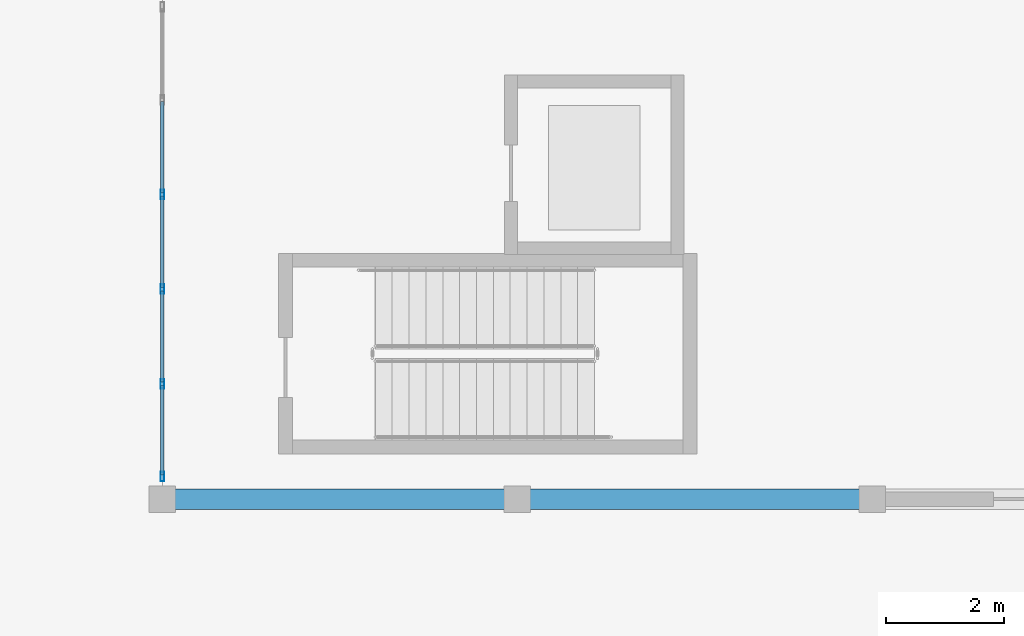
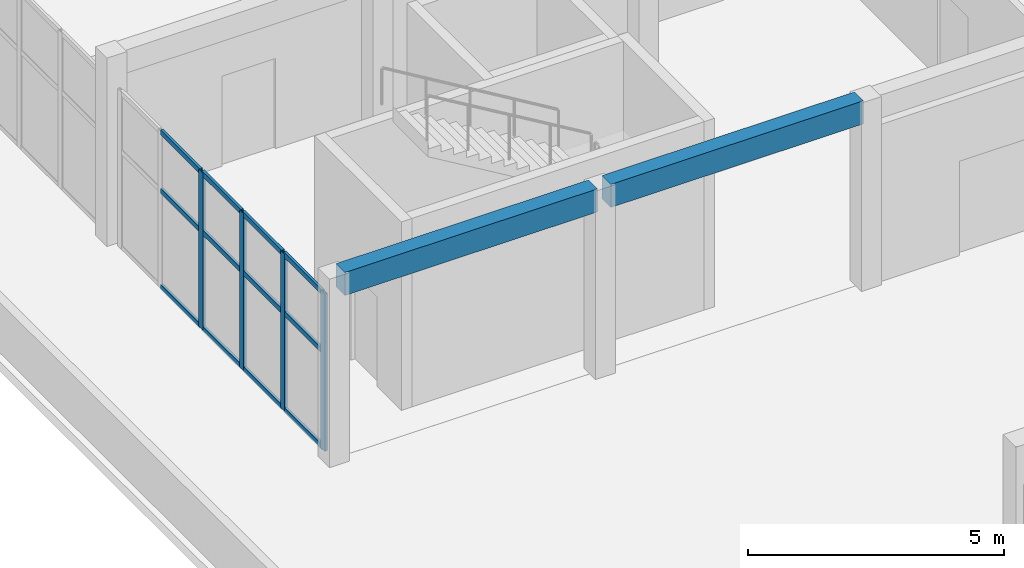
# One storey, part 44 of 132: 16 members, 2 beams, 1 element without a shape of its own.
"""IFC4 building model written with IfcOpenShell, lengths in metres."""

from ifc_helpers import new_model, si_unit, direction, frame, origin, origin_2d, place, context, subcontext, project, spatial, rectangle, hollow_rectangle, extrude, material, material_profile, profile_set, type_object, element, aggregate, save


model = new_model("IFC4")

# Units and contexts
model_context = context("Model", 3, precision=1e-05, world=origin(), true_north=direction((0.0, 1.0)))
body_context = subcontext(model_context, "Body", "Model", "MODEL_VIEW")
ifc_project = project(units=[si_unit("LENGTHUNIT", "METRE"), si_unit("AREAUNIT", "SQUARE_METRE"), si_unit("VOLUMEUNIT", "CUBIC_METRE"), si_unit("PLANEANGLEUNIT", "RADIAN"), si_unit("MASSUNIT", "GRAM", prefix="KILO")], contexts=[model_context])

# Site, building, storey
site_placement = place(None, origin())
site = spatial("IfcSite", under=ifc_project, at=site_placement, CompositionType="ELEMENT")
building_placement = place(site_placement, origin())
building = spatial("IfcBuilding", under=site, at=building_placement, Name="Tanwirah Colonnade Gardens", CompositionType="ELEMENT")
storey_placement = place(building_placement, origin())
storey = spatial("IfcBuildingStorey", under=building, at=storey_placement, Name="L00", CompositionType="ELEMENT", Elevation=0.0)

# Beams
ifc_material_1 = material(Name="Precast concrete C40/50", Category="concrete")
ifc_material_profile_1 = material_profile(ifc_material_1, rectangle(XDim=0.35009765625, YDim=0.550048828125, at=origin_2d()), Name="PC-BM 350x550")
ifc_profile_set_1 = profile_set([ifc_material_profile_1], Name="Precast concrete C40/50")
beam_type = type_object("IfcBeamType", Name="BM-PC350A", PredefinedType="BEAM", material=ifc_profile_set_1)
for number, where, z_axis, x_axis, name in (
    (1, (78.14990234375, 92.0, 4.219970703125), (1.0, 0.0, 0.0), (0.0, 1.0, 0.0), "Nursery L00 Beam X-0.0"),
    (2, (84.14990234375, 92.0, 4.219970703125), (1.0, 0.0, 0.0), (0.0, 1.0, 0.0), "Nursery L00 Beam X-1.0"),
):
    element("IfcBeam", number, at=place(storey_placement, frame(where, z_axis=z_axis, x_axis=x_axis)), inside=storey, type_object=beam_type, Name=name, PredefinedType="BEAM", context=body_context, shape_type="SweptSolid", body=[
        extrude(rectangle(XDim=0.35009765625, YDim=0.550048828125, at=origin_2d()), origin(), (0.0, 0.0, 1.0), 5.7001953125),
    ])

# Curtain wall, members
ifc_material_2 = material(Name="Bronze-anodised aluminium and solar-control low-E glass", Category="aluminium")
curtain_wall_type = type_object("IfcCurtainWallType", Name="CW-NUR", PredefinedType="NOTDEFINED", material=ifc_material_2)
curtain_wall_placement = place(storey_placement, origin())
curtain_wall = element("IfcCurtainWall", 3, at=curtain_wall_placement, inside=storey, type_object=curtain_wall_type, Name="Curtain Wall CW-NUR-L00-W-1", PredefinedType="NOTDEFINED")
ifc_material_3 = material(Name="Bronze-anodised aluminium", Category="aluminium")
ifc_material_profile_2 = material_profile(ifc_material_3, hollow_rectangle(XDim=0.06005859375, YDim=0.159912109375, WallThickness=0.00390625, at=origin_2d()), Name="CW-MUL 60x160x4")
ifc_profile_set_2 = profile_set([ifc_material_profile_2], Name="Bronze-anodised aluminium")
member_type_1 = type_object("IfcMemberType", Name="CWM-60x160", PredefinedType="MULLION", material=ifc_profile_set_2)
member_1_placement = place(storey_placement, frame((78.0, 92.3798828125, 0.0), z_axis=(0.0, 0.0, 1.0), x_axis=(-1.0, 0.0, 0.0)))
member_1 = element("IfcMember", 4, at=member_1_placement, type_object=member_type_1, Name="CW-NUR mullion 1", PredefinedType="MULLION", context=body_context, shape_type="SweptSolid", body=[
    extrude(hollow_rectangle(XDim=0.06005859375, YDim=0.159912109375, WallThickness=0.00390625, at=origin_2d()), origin(), (0.0, 0.0, 1.0), 3.75),
])
member_2_placement = place(storey_placement, frame((78.0, 93.949951171875, 0.0), z_axis=(0.0, 0.0, 1.0), x_axis=(-1.0, 0.0, 0.0)))
member_2 = element("IfcMember", 5, at=member_2_placement, type_object=member_type_1, Name="CW-NUR mullion 2", PredefinedType="MULLION", context=body_context, shape_type="SweptSolid", body=[
    extrude(hollow_rectangle(XDim=0.06005859375, YDim=0.159912109375, WallThickness=0.00390625, at=origin_2d()), origin(), (0.0, 0.0, 1.0), 3.75),
])
member_3_placement = place(storey_placement, frame((78.0, 95.550048828125, 0.0), z_axis=(0.0, 0.0, 1.0), x_axis=(-1.0, 0.0, 0.0)))
member_3 = element("IfcMember", 6, at=member_3_placement, type_object=member_type_1, Name="CW-NUR mullion 3", PredefinedType="MULLION", context=body_context, shape_type="SweptSolid", body=[
    extrude(hollow_rectangle(XDim=0.06005859375, YDim=0.159912109375, WallThickness=0.00390625, at=origin_2d()), origin(), (0.0, 0.0, 1.0), 3.75),
])
member_4_placement = place(storey_placement, frame((78.0, 97.14990234375, 0.0), z_axis=(0.0, 0.0, 1.0), x_axis=(-1.0, 0.0, 0.0)))
member_4 = element("IfcMember", 7, at=member_4_placement, type_object=member_type_1, Name="CW-NUR mullion 4", PredefinedType="MULLION", context=body_context, shape_type="SweptSolid", body=[
    extrude(hollow_rectangle(XDim=0.06005859375, YDim=0.159912109375, WallThickness=0.00390625, at=origin_2d()), origin(), (0.0, 0.0, 1.0), 3.75),
])
ifc_material_profile_3 = material_profile(ifc_material_3, hollow_rectangle(XDim=0.06005859375, YDim=0.1201171875, WallThickness=0.00390625, at=origin_2d()), Name="CW-TRN 60x120x4")
ifc_profile_set_3 = profile_set([ifc_material_profile_3], Name="Bronze-anodised aluminium")
member_type_2 = type_object("IfcMemberType", Name="CWT-60x120", PredefinedType="USERDEFINED", material=ifc_profile_set_3)
member_5_placement = place(storey_placement, frame((78.0, 92.409912109375, 0.030029296875), z_axis=(0.0, 1.0, 0.0), x_axis=(-1.0, 0.0, 0.0)))
member_5 = element("IfcMember", 8, at=member_5_placement, type_object=member_type_2, Name="CW-NUR transom 1.1", ObjectType="TRANSOM", PredefinedType="USERDEFINED", context=body_context, shape_type="SweptSolid", body=[
    extrude(hollow_rectangle(XDim=0.06005859375, YDim=0.1201171875, WallThickness=0.00390625, at=origin_2d()), origin(), (0.0, 0.0, 1.0), 1.510009765625),
])
member_6_placement = place(storey_placement, frame((78.0, 92.409912109375, 2.324951171875), z_axis=(0.0, 1.0, 0.0), x_axis=(-1.0, 0.0, 0.0)))
member_6 = element("IfcMember", 9, at=member_6_placement, type_object=member_type_2, Name="CW-NUR transom 1.2", ObjectType="TRANSOM", PredefinedType="USERDEFINED", context=body_context, shape_type="SweptSolid", body=[
    extrude(hollow_rectangle(XDim=0.06005859375, YDim=0.1201171875, WallThickness=0.00390625, at=origin_2d()), origin(), (0.0, 0.0, 1.0), 1.510009765625),
])
member_7_placement = place(storey_placement, frame((78.0, 92.409912109375, 3.719970703125), z_axis=(0.0, 1.0, 0.0), x_axis=(-1.0, 0.0, 0.0)))
member_7 = element("IfcMember", 10, at=member_7_placement, type_object=member_type_2, Name="CW-NUR transom 1.3", ObjectType="TRANSOM", PredefinedType="USERDEFINED", context=body_context, shape_type="SweptSolid", body=[
    extrude(hollow_rectangle(XDim=0.06005859375, YDim=0.1201171875, WallThickness=0.00390625, at=origin_2d()), origin(), (0.0, 0.0, 1.0), 1.510009765625),
])
member_8_placement = place(storey_placement, frame((78.0, 93.97998046875, 0.030029296875), z_axis=(0.0, 1.0, 0.0), x_axis=(-1.0, 0.0, 0.0)))
member_8 = element("IfcMember", 11, at=member_8_placement, type_object=member_type_2, Name="CW-NUR transom 2.1", ObjectType="TRANSOM", PredefinedType="USERDEFINED", context=body_context, shape_type="SweptSolid", body=[
    extrude(hollow_rectangle(XDim=0.06005859375, YDim=0.1201171875, WallThickness=0.00390625, at=origin_2d()), origin(), (0.0, 0.0, 1.0), 1.5400390625),
])
member_9_placement = place(storey_placement, frame((78.0, 93.97998046875, 2.324951171875), z_axis=(0.0, 1.0, 0.0), x_axis=(-1.0, 0.0, 0.0)))
member_9 = element("IfcMember", 12, at=member_9_placement, type_object=member_type_2, Name="CW-NUR transom 2.2", ObjectType="TRANSOM", PredefinedType="USERDEFINED", context=body_context, shape_type="SweptSolid", body=[
    extrude(hollow_rectangle(XDim=0.06005859375, YDim=0.1201171875, WallThickness=0.00390625, at=origin_2d()), origin(), (0.0, 0.0, 1.0), 1.5400390625),
])
member_10_placement = place(storey_placement, frame((78.0, 93.97998046875, 3.719970703125), z_axis=(0.0, 1.0, 0.0), x_axis=(-1.0, 0.0, 0.0)))
member_10 = element("IfcMember", 13, at=member_10_placement, type_object=member_type_2, Name="CW-NUR transom 2.3", ObjectType="TRANSOM", PredefinedType="USERDEFINED", context=body_context, shape_type="SweptSolid", body=[
    extrude(hollow_rectangle(XDim=0.06005859375, YDim=0.1201171875, WallThickness=0.00390625, at=origin_2d()), origin(), (0.0, 0.0, 1.0), 1.5400390625),
])
member_11_placement = place(storey_placement, frame((78.0, 95.580078125, 0.030029296875), z_axis=(0.0, 1.0, 0.0), x_axis=(-1.0, 0.0, 0.0)))
member_11 = element("IfcMember", 14, at=member_11_placement, type_object=member_type_2, Name="CW-NUR transom 3.1", ObjectType="TRANSOM", PredefinedType="USERDEFINED", context=body_context, shape_type="SweptSolid", body=[
    extrude(hollow_rectangle(XDim=0.06005859375, YDim=0.1201171875, WallThickness=0.00390625, at=origin_2d()), origin(), (0.0, 0.0, 1.0), 1.5400390625),
])
member_12_placement = place(storey_placement, frame((78.0, 95.580078125, 2.324951171875), z_axis=(0.0, 1.0, 0.0), x_axis=(-1.0, 0.0, 0.0)))
member_12 = element("IfcMember", 15, at=member_12_placement, type_object=member_type_2, Name="CW-NUR transom 3.2", ObjectType="TRANSOM", PredefinedType="USERDEFINED", context=body_context, shape_type="SweptSolid", body=[
    extrude(hollow_rectangle(XDim=0.06005859375, YDim=0.1201171875, WallThickness=0.00390625, at=origin_2d()), origin(), (0.0, 0.0, 1.0), 1.5400390625),
])
member_13_placement = place(storey_placement, frame((78.0, 95.580078125, 3.719970703125), z_axis=(0.0, 1.0, 0.0), x_axis=(-1.0, 0.0, 0.0)))
member_13 = element("IfcMember", 16, at=member_13_placement, type_object=member_type_2, Name="CW-NUR transom 3.3", ObjectType="TRANSOM", PredefinedType="USERDEFINED", context=body_context, shape_type="SweptSolid", body=[
    extrude(hollow_rectangle(XDim=0.06005859375, YDim=0.1201171875, WallThickness=0.00390625, at=origin_2d()), origin(), (0.0, 0.0, 1.0), 1.5400390625),
])
member_14_placement = place(storey_placement, frame((78.0, 97.179931640625, 0.030029296875), z_axis=(0.0, 1.0, 0.0), x_axis=(-1.0, 0.0, 0.0)))
member_14 = element("IfcMember", 17, at=member_14_placement, type_object=member_type_2, Name="CW-NUR transom 4.1", ObjectType="TRANSOM", PredefinedType="USERDEFINED", context=body_context, shape_type="SweptSolid", body=[
    extrude(hollow_rectangle(XDim=0.06005859375, YDim=0.1201171875, WallThickness=0.00390625, at=origin_2d()), origin(), (0.0, 0.0, 1.0), 1.5400390625),
])
member_15_placement = place(storey_placement, frame((78.0, 97.179931640625, 2.324951171875), z_axis=(0.0, 1.0, 0.0), x_axis=(-1.0, 0.0, 0.0)))
member_15 = element("IfcMember", 18, at=member_15_placement, type_object=member_type_2, Name="CW-NUR transom 4.2", ObjectType="TRANSOM", PredefinedType="USERDEFINED", context=body_context, shape_type="SweptSolid", body=[
    extrude(hollow_rectangle(XDim=0.06005859375, YDim=0.1201171875, WallThickness=0.00390625, at=origin_2d()), origin(), (0.0, 0.0, 1.0), 1.5400390625),
])
member_16_placement = place(storey_placement, frame((78.0, 97.179931640625, 3.719970703125), z_axis=(0.0, 1.0, 0.0), x_axis=(-1.0, 0.0, 0.0)))
member_16 = element("IfcMember", 19, at=member_16_placement, type_object=member_type_2, Name="CW-NUR transom 4.3", ObjectType="TRANSOM", PredefinedType="USERDEFINED", context=body_context, shape_type="SweptSolid", body=[
    extrude(hollow_rectangle(XDim=0.06005859375, YDim=0.1201171875, WallThickness=0.00390625, at=origin_2d()), origin(), (0.0, 0.0, 1.0), 1.5400390625),
])
aggregate(curtain_wall, [member_1, member_2, member_3, member_4, member_5, member_6, member_7, member_8, member_9, member_10, member_11, member_12, member_13, member_14, member_15, member_16])

save(model, "model.ifc")
